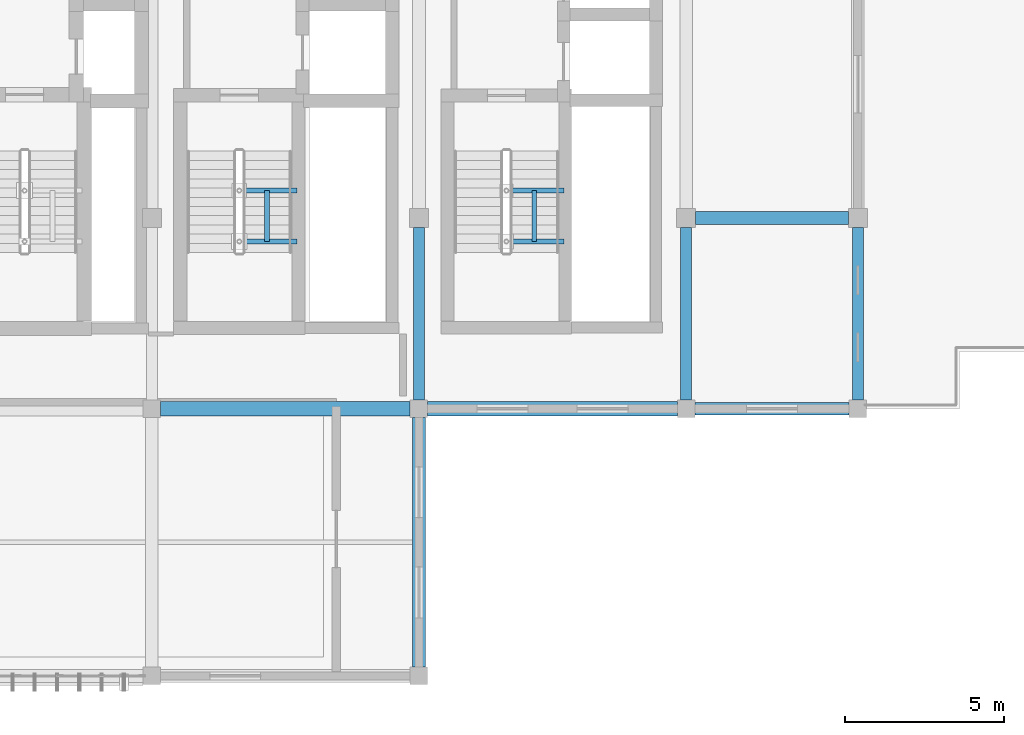
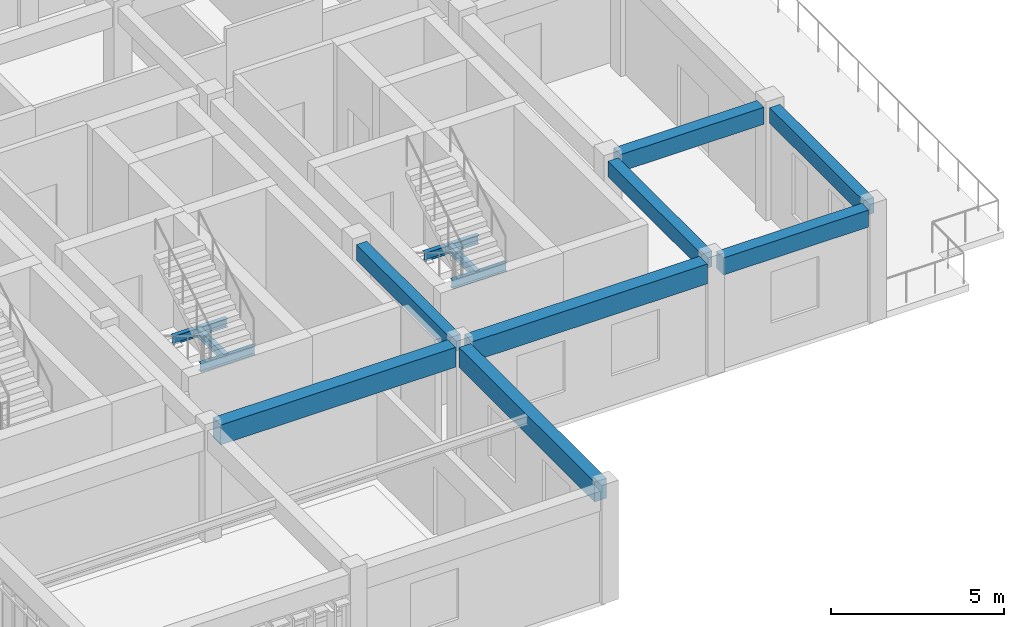
# One storey, part 8 of 21: 14 beams.
"""IFC4 building model written with IfcOpenShell, lengths in metres."""

from ifc_helpers import new_model, si_unit, direction, frame, origin, origin_2d, place, context, subcontext, project, spatial, rectangle, i_section, extrude, material, material_profile, profile_set, type_object, element, save


model = new_model("IFC4")

# Units and contexts
model_context = context("Model", 3, precision=1e-05, world=origin(), true_north=direction((0.0, 1.0)))
body_context = subcontext(model_context, "Body", "Model", "MODEL_VIEW")
ifc_project = project(units=[si_unit("LENGTHUNIT", "METRE"), si_unit("AREAUNIT", "SQUARE_METRE"), si_unit("VOLUMEUNIT", "CUBIC_METRE"), si_unit("PLANEANGLEUNIT", "RADIAN"), si_unit("MASSUNIT", "GRAM", prefix="KILO")], contexts=[model_context])

# Site, building, storey
site_placement = place(None, origin())
site = spatial("IfcSite", under=ifc_project, at=site_placement, CompositionType="ELEMENT")
building_placement = place(site_placement, origin())
building = spatial("IfcBuilding", under=site, at=building_placement, Name="Krzemoval Escarpment Law Courts", CompositionType="ELEMENT")
storey_placement = place(building_placement, frame((0.0, 0.0, 37.800048828125)))
storey = spatial("IfcBuildingStorey", under=building, at=storey_placement, Name="L08", CompositionType="ELEMENT", Elevation=37.800048828125)

# Beams
ifc_material_1 = material(Name="Concrete C40/50", Category="concrete")
ifc_material_profile_1 = material_profile(ifc_material_1, rectangle(XDim=0.35009765625, YDim=0.550048828125, at=origin_2d()), Name="RCB 350x550")
ifc_profile_set_1 = profile_set([ifc_material_profile_1], Name="Concrete C40/50")
beam_type_1 = type_object("IfcBeamType", Name="BM-RC-350x550", PredefinedType="BEAM", material=ifc_profile_set_1)
for number, where, z_axis, x_axis, name in (
    (1, (142.800048828125, 93.875, 3.68505859375), (0.0, 1.0, 0.0), (-1.0, 0.0, 0.0), "Beam FG-L08-2770"),
    (2, (151.199951171875, 93.875, 3.68505859375), (0.0, 1.0, 0.0), (-1.0, 0.0, 0.0), "Beam FG-L08-2774"),
    (3, (156.60009765625, 93.875, 3.68505859375), (0.0, 1.0, 0.0), (-1.0, 0.0, 0.0), "Beam FG-L08-2778"),
):
    element("IfcBeam", number, at=place(storey_placement, frame(where, z_axis=z_axis, x_axis=x_axis)), inside=storey, type_object=beam_type_1, Name=name, PredefinedType="BEAM", context=body_context, shape_type="SweptSolid", body=[
        extrude(rectangle(XDim=0.35009765625, YDim=0.550048828125, at=origin_2d()), origin(), (0.0, 0.0, 1.0), 5.425048828125),
    ])
ifc_material_2 = material(Name="Concrete C40/50", Category="concrete")
ifc_material_profile_2 = material_profile(ifc_material_2, rectangle(XDim=0.39990234375, YDim=0.60009765625, at=origin_2d()), Name="RCB 400x600")
ifc_profile_set_2 = profile_set([ifc_material_profile_2], Name="Concrete C40/50")
beam_type_2 = type_object("IfcBeamType", Name="BM-RC-400x600", PredefinedType="BEAM", material=ifc_profile_set_2)
beam_1_placement = place(storey_placement, frame((151.47509765625, 93.60009765625, 3.659912109375), z_axis=(1.0, 0.0, 0.0), x_axis=(0.0, 1.0, 0.0)))
element("IfcBeam", 4, at=beam_1_placement, inside=storey, type_object=beam_type_2, Name="Beam FG-L08-2748", PredefinedType="BEAM", context=body_context, shape_type="SweptSolid", body=[
    extrude(rectangle(XDim=0.39990234375, YDim=0.60009765625, at=origin_2d()), origin(), (0.0, 0.0, 1.0), 4.849853515625),
])
beam_2_placement = place(storey_placement, frame((151.5, 99.60009765625, 3.659912109375), z_axis=(1.0, 0.0, 0.0), x_axis=(0.0, 1.0, 0.0)))
element("IfcBeam", 5, at=beam_2_placement, inside=storey, type_object=beam_type_2, Name="Beam FG-L08-2749", PredefinedType="BEAM", context=body_context, shape_type="SweptSolid", body=[
    extrude(rectangle(XDim=0.39990234375, YDim=0.60009765625, at=origin_2d()), origin(), (0.0, 0.0, 1.0), 4.800048828125),
])
ifc_material_3 = material(Name="Concrete C40/50", Category="concrete")
ifc_material_profile_3 = material_profile(ifc_material_3, rectangle(XDim=0.39990234375, YDim=0.699951171875, at=origin_2d()), Name="RCB 400x700")
ifc_profile_set_3 = profile_set([ifc_material_profile_3], Name="Concrete C40/50")
beam_type_3 = type_object("IfcBeamType", Name="BM-RC-400x700", PredefinedType="BEAM", material=ifc_profile_set_3)
beam_3_placement = place(storey_placement, frame((142.800048828125, 85.47509765625, 3.60986328125), z_axis=(0.0, 1.0, 0.0), x_axis=(-1.0, 0.0, 0.0)))
element("IfcBeam", 6, at=beam_3_placement, inside=storey, type_object=beam_type_3, Name="Beam FG-L08-2769", PredefinedType="BEAM", context=body_context, shape_type="SweptSolid", body=[
    extrude(rectangle(XDim=0.39990234375, YDim=0.699951171875, at=origin_2d()), origin(), (0.0, 0.0, 1.0), 7.849853515625),
])
ifc_material_4 = material(Name="Concrete C40/50", Category="concrete")
ifc_material_profile_4 = material_profile(ifc_material_4, rectangle(XDim=0.449951171875, YDim=0.699951171875, at=origin_2d()), Name="RCB 450x700")
ifc_profile_set_4 = profile_set([ifc_material_profile_4], Name="Concrete C40/50")
beam_type_4 = type_object("IfcBeamType", Name="BM-RC-450x700", PredefinedType="BEAM", material=ifc_profile_set_4)
beam_4_placement = place(storey_placement, frame((134.675048828125, 93.60009765625, 3.60986328125), z_axis=(1.0, 0.0, 0.0), x_axis=(0.0, 1.0, 0.0)))
element("IfcBeam", 7, at=beam_4_placement, inside=storey, type_object=beam_type_4, Name="Beam FG-L08-2746", PredefinedType="BEAM", context=body_context, shape_type="SweptSolid", body=[
    extrude(rectangle(XDim=0.449951171875, YDim=0.699951171875, at=origin_2d()), origin(), (0.0, 0.0, 1.0), 7.849853515625),
])
beam_5_placement = place(storey_placement, frame((143.074951171875, 93.60009765625, 3.60986328125), z_axis=(1.0, 0.0, 0.0), x_axis=(0.0, 1.0, 0.0)))
element("IfcBeam", 8, at=beam_5_placement, inside=storey, type_object=beam_type_4, Name="Beam FG-L08-2747", PredefinedType="BEAM", context=body_context, shape_type="SweptSolid", body=[
    extrude(rectangle(XDim=0.449951171875, YDim=0.699951171875, at=origin_2d()), origin(), (0.0, 0.0, 1.0), 7.85009765625),
])
ifc_material_5 = material(Name="Steel S355", Category="steel")
ifc_material_profile_5 = material_profile(ifc_material_5, i_section(OverallWidth=0.14990234375, OverallDepth=0.300048828125, WebThickness=0.007080078125, FlangeThickness=0.0107421875, at=origin_2d()), Name="IPE 300")
ifc_profile_set_5 = profile_set([ifc_material_profile_5], Name="Steel S355")
beam_type_5 = type_object("IfcBeamType", Name="JST-S355-IPE300", PredefinedType="JOIST", material=ifc_profile_set_5)
for number, where, z_axis, x_axis, name in (
    (9, (137.14990234375, 98.860107421875, 1.820068359375), (1.0, 0.0, 0.0), (0.0, 1.0, 0.0), "Stair Well Crosshead SLHW-C2-L08-1"),
    (10, (137.14990234375, 100.4599609375, 1.820068359375), (1.0, 0.0, 0.0), (0.0, 1.0, 0.0), "Stair Well Crosshead SLHW-C2-L08-2"),
):
    element("IfcBeam", number, at=place(storey_placement, frame(where, z_axis=z_axis, x_axis=x_axis)), inside=storey, type_object=beam_type_5, Name=name, PredefinedType="JOIST", context=body_context, shape_type="SweptSolid", body=[
        extrude(i_section(OverallWidth=0.14990234375, OverallDepth=0.300048828125, WebThickness=0.007080078125, FlangeThickness=0.0107421875, at=origin_2d()), origin(), (0.0, 0.0, 1.0), 1.81005859375),
    ])
beam_6_placement = place(storey_placement, frame((138.02490234375, 98.860107421875, 1.820068359375), z_axis=(0.0, 1.0, 0.0), x_axis=(-1.0, 0.0, 0.0)))
element("IfcBeam", 11, at=beam_6_placement, inside=storey, type_object=beam_type_5, Name="Stair Flight Support Stringer SLTW-C2-L08", PredefinedType="JOIST", context=body_context, shape_type="SweptSolid", body=[
    extrude(i_section(OverallWidth=0.14990234375, OverallDepth=0.300048828125, WebThickness=0.007080078125, FlangeThickness=0.0107421875, at=origin_2d()), origin(), (0.0, 0.0, 1.0), 1.599853515625),
])
for number, where, z_axis, x_axis, name in (
    (12, (145.550048828125, 98.860107421875, 1.820068359375), (1.0, 0.0, 0.0), (0.0, 1.0, 0.0), "Stair Well Crosshead SLHW-C3-L08-1"),
    (13, (145.550048828125, 100.4599609375, 1.820068359375), (1.0, 0.0, 0.0), (0.0, 1.0, 0.0), "Stair Well Crosshead SLHW-C3-L08-2"),
):
    element("IfcBeam", number, at=place(storey_placement, frame(where, z_axis=z_axis, x_axis=x_axis)), inside=storey, type_object=beam_type_5, Name=name, PredefinedType="JOIST", context=body_context, shape_type="SweptSolid", body=[
        extrude(i_section(OverallWidth=0.14990234375, OverallDepth=0.300048828125, WebThickness=0.007080078125, FlangeThickness=0.0107421875, at=origin_2d()), origin(), (0.0, 0.0, 1.0), 1.81005859375),
    ])
beam_7_placement = place(storey_placement, frame((146.425048828125, 98.860107421875, 1.820068359375), z_axis=(0.0, 1.0, 0.0), x_axis=(-1.0, 0.0, 0.0)))
element("IfcBeam", 14, at=beam_7_placement, inside=storey, type_object=beam_type_5, Name="Stair Flight Support Stringer SLTW-C3-L08", PredefinedType="JOIST", context=body_context, shape_type="SweptSolid", body=[
    extrude(i_section(OverallWidth=0.14990234375, OverallDepth=0.300048828125, WebThickness=0.007080078125, FlangeThickness=0.0107421875, at=origin_2d()), origin(), (0.0, 0.0, 1.0), 1.599853515625),
])

save(model, "model.ifc")
